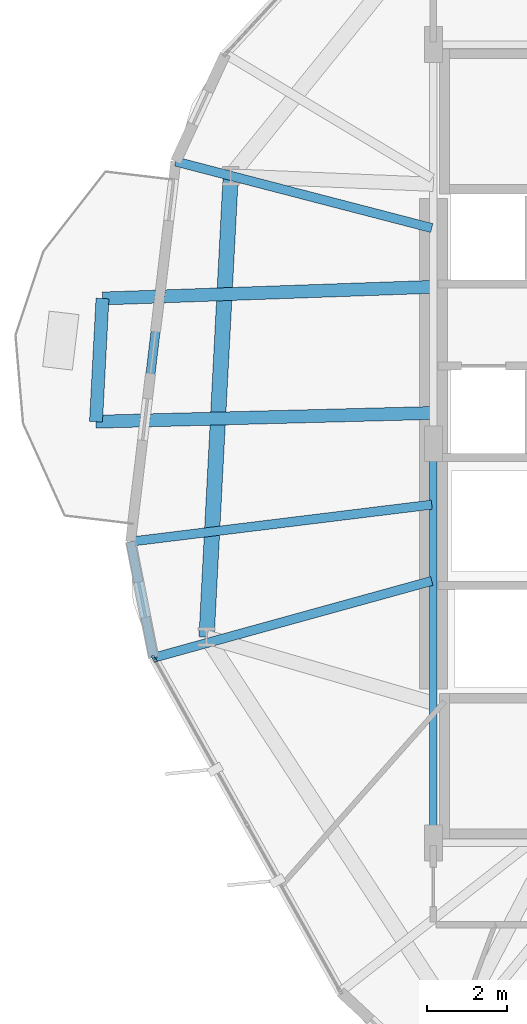
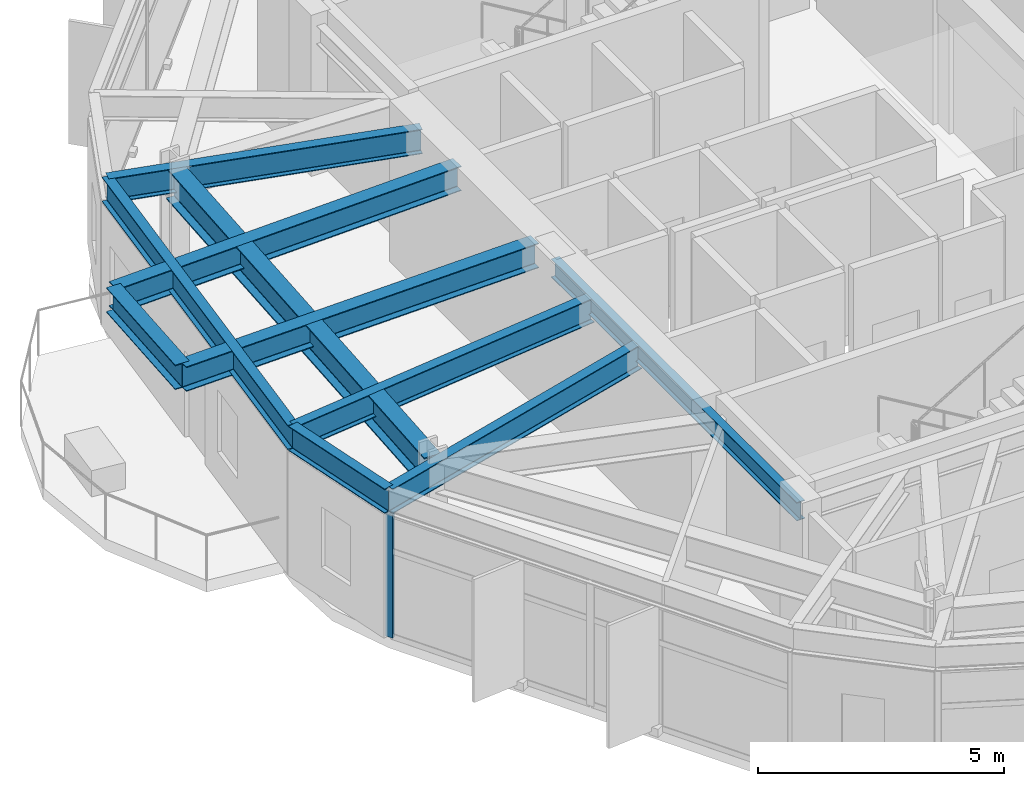
# One storey, part 6 of 22: 10 beams, 1 member, 1 element without a shape of its own.
"""IFC4 building model written with IfcOpenShell, lengths in metres."""

from ifc_helpers import new_model, si_unit, direction, frame, origin, origin_2d, place, context, subcontext, project, spatial, hollow_rectangle, i_section, extrude, material, layer, layer_set, material_profile, profile_set, type_object, element, aggregate, save


model = new_model("IFC4")

# Units and contexts
model_context = context("Model", 3, precision=1e-05, world=origin(), true_north=direction((0.0, 1.0)))
body_context = subcontext(model_context, "Body", "Model", "MODEL_VIEW")
ifc_project = project(units=[si_unit("LENGTHUNIT", "METRE"), si_unit("AREAUNIT", "SQUARE_METRE"), si_unit("VOLUMEUNIT", "CUBIC_METRE"), si_unit("PLANEANGLEUNIT", "RADIAN"), si_unit("MASSUNIT", "GRAM", prefix="KILO")], contexts=[model_context])

# Site, building, storey
site_placement = place(None, origin())
site = spatial("IfcSite", under=ifc_project, at=site_placement, CompositionType="ELEMENT")
building_placement = place(site_placement, origin())
building = spatial("IfcBuilding", under=site, at=building_placement, Name="Soratama Intermodal Tower", CompositionType="ELEMENT")
storey_placement = place(building_placement, frame((0.0, 0.0, 70.60009765625)))
storey = spatial("IfcBuildingStorey", under=building, at=storey_placement, Name="L16", CompositionType="ELEMENT", Elevation=70.60009765625)

# Beams
ifc_material_1 = material(Name="Structural steel ASTM A992 Grade 50", Category="steel")
ifc_material_profile_1 = material_profile(ifc_material_1, i_section(OverallWidth=0.324951171875, OverallDepth=0.615966796875, WebThickness=0.013916015625, FlangeThickness=0.021484375, FilletRadius=0.013916015625, at=origin_2d()), Name="W24X117")
ifc_profile_set_1 = profile_set([ifc_material_profile_1], Name="Structural steel ASTM A992 Grade 50")
beam_type_1 = type_object("IfcBeamType", Name="BM-CANT-W24X117", PredefinedType="BEAM", material=ifc_profile_set_1)
beam_1_placement = place(storey_placement, frame((24.31005859375, 28.638916015625, 3.391845703125), z_axis=(-0.052442762618, -0.998623931542, 0.0), x_axis=(0.998623931542, -0.052442762618, 0.0)))
element("IfcBeam", 1, at=beam_1_placement, inside=storey, type_object=beam_type_1, Name="BM-L16-CBHDR-2", PredefinedType="BEAM", context=body_context, shape_type="SweptSolid", body=[
    extrude(i_section(OverallWidth=0.324951171875, OverallDepth=0.615966796875, WebThickness=0.013916015625, FlangeThickness=0.021484375, FilletRadius=0.013916015625, at=origin_2d()), origin(), (0.0, 0.0, 1.0), 3.091064453125),
])
beam_2_placement = place(storey_placement, frame((32.56005859375, 28.929931640625, 3.391845703125), z_axis=(-0.999378430553, -0.035252695585, 0.0), x_axis=(0.035252695585, -0.999378430553, 0.0)))
element("IfcBeam", 2, at=beam_2_placement, inside=storey, type_object=beam_type_1, Name="BM-L16-CANT-2-1", PredefinedType="BEAM", context=body_context, shape_type="SweptSolid", body=[
    extrude(i_section(OverallWidth=0.324951171875, OverallDepth=0.615966796875, WebThickness=0.013916015625, FlangeThickness=0.021484375, FilletRadius=0.013916015625, at=origin_2d()), origin(), (0.0, 0.0, 1.0), 8.255126953125),
])
beam_3_placement = place(storey_placement, frame((32.56005859375, 25.77001953125, 3.391845703125), z_axis=(-0.999664320758, -0.025908411842, 0.0), x_axis=(0.025908411842, -0.999664320758, 0.0)))
element("IfcBeam", 3, at=beam_3_placement, inside=storey, type_object=beam_type_1, Name="BM-L16-CANT-2-2", PredefinedType="BEAM", context=body_context, shape_type="SweptSolid", body=[
    extrude(i_section(OverallWidth=0.324951171875, OverallDepth=0.615966796875, WebThickness=0.013916015625, FlangeThickness=0.021484375, FilletRadius=0.013916015625, at=origin_2d()), origin(), (0.0, 0.0, 1.0), 8.4150390625),
])
ifc_material_2 = material(Name="Structural steel ASTM A992 Grade 50", Category="steel")
ifc_material_profile_2 = material_profile(ifc_material_2, i_section(OverallWidth=0.19091796875, OverallDepth=0.4599609375, WebThickness=0.010009765625, FlangeThickness=0.01611328125, FilletRadius=0.010986328125, at=origin_2d()), Name="W18X55")
ifc_profile_set_2 = profile_set([ifc_material_profile_2], Name="Structural steel ASTM A992 Grade 50")
beam_type_2 = type_object("IfcBeamType", Name="BM-FLR-W18X55", PredefinedType="BEAM", material=ifc_profile_set_2)
beam_4_placement = place(storey_placement, frame((32.60009765625, 25.0, 3.469970703125), z_axis=(0.0, -1.0, 0.0), x_axis=(1.0, 0.0, 0.0)))
element("IfcBeam", 4, at=beam_4_placement, inside=storey, type_object=beam_type_2, Name="BM-L16-CRING-09", PredefinedType="BEAM", context=body_context, shape_type="SweptSolid", body=[
    extrude(i_section(OverallWidth=0.19091796875, OverallDepth=0.4599609375, WebThickness=0.010009765625, FlangeThickness=0.01611328125, FilletRadius=0.010986328125, at=origin_2d()), origin(), (0.0, 0.0, 1.0), 10.0),
])
ifc_material_3 = material(Name="Structural steel ASTM A992 Grade 50", Category="steel")
ifc_material_profile_3 = material_profile(ifc_material_3, i_section(OverallWidth=0.382080078125, OverallDepth=0.779052734375, WebThickness=0.01806640625, FlangeThickness=0.030029296875, FilletRadius=0.01806640625, at=origin_2d()), Name="W30X191")
ifc_profile_set_3 = profile_set([ifc_material_profile_3], Name="Structural steel ASTM A992 Grade 50")
beam_type_3 = type_object("IfcBeamType", Name="BM-RING-W30X191", PredefinedType="BEAM", material=ifc_profile_set_3)
beam_5_placement = place(storey_placement, frame((27.52294921875, 31.708984375, 3.310302734375), z_axis=(-0.052289698717, -0.998631957935, 0.0), x_axis=(0.998631957935, -0.052289698717, 0.0)))
element("IfcBeam", 5, at=beam_5_placement, inside=storey, type_object=beam_type_3, Name="BM-L16-RING-05", PredefinedType="BEAM", context=body_context, shape_type="SweptSolid", body=[
    extrude(i_section(OverallWidth=0.382080078125, OverallDepth=0.779052734375, WebThickness=0.01806640625, FlangeThickness=0.030029296875, FilletRadius=0.01806640625, at=origin_2d()), origin(), (0.0, 0.0, 1.0), 11.56982421875),
])
ifc_material_4 = material(Name="Structural steel ASTM A992 Grade 50", Category="steel")
ifc_material_profile_4 = material_profile(ifc_material_4, i_section(OverallWidth=0.22900390625, OverallDepth=0.612060546875, WebThickness=0.011962890625, FlangeThickness=0.01953125, FilletRadius=0.012939453125, at=origin_2d()), Name="W24X84")
ifc_profile_set_4 = profile_set([ifc_material_profile_4], Name="Structural steel ASTM A992 Grade 50")
beam_type_4 = type_object("IfcBeamType", Name="BM-SPN-W24X84", PredefinedType="SPANDREL", material=ifc_profile_set_4)
beam_6_placement = place(storey_placement, frame((26.14599609375, 32.070068359375, 3.393798828125), z_axis=(-0.118047931698, -0.993007898167, 0.0), x_axis=(0.993007898167, -0.118047931698, 0.0)))
element("IfcBeam", 6, at=beam_6_placement, inside=storey, type_object=beam_type_4, Name="BS-L16-F05", PredefinedType="SPANDREL", context=body_context, shape_type="SweptSolid", body=[
    extrude(i_section(OverallWidth=0.22900390625, OverallDepth=0.612060546875, WebThickness=0.011962890625, FlangeThickness=0.01953125, FilletRadius=0.012939453125, at=origin_2d()), origin(), (0.0, 0.0, 1.0), 9.590087890625),
])
beam_7_placement = place(storey_placement, frame((25.013916015625, 22.547119140625, 3.393798828125), z_axis=(0.194596210354, -0.980883435947, 0.0), x_axis=(0.980883435947, 0.194596210354, 0.0)))
element("IfcBeam", 7, at=beam_7_placement, inside=storey, type_object=beam_type_4, Name="BS-L16-CRN05", PredefinedType="SPANDREL", context=body_context, shape_type="SweptSolid", body=[
    extrude(i_section(OverallWidth=0.22900390625, OverallDepth=0.612060546875, WebThickness=0.011962890625, FlangeThickness=0.01953125, FilletRadius=0.012939453125, at=origin_2d()), origin(), (0.0, 0.0, 1.0), 2.9658203125),
])
ifc_material_5 = material(Name="Structural steel ASTM A992 Grade 50", Category="steel")
ifc_material_profile_5 = material_profile(ifc_material_5, i_section(OverallWidth=0.22900390625, OverallDepth=0.612060546875, WebThickness=0.011962890625, FlangeThickness=0.01953125, FilletRadius=0.012939453125, at=origin_2d()), Name="W24X84")
ifc_profile_set_5 = profile_set([ifc_material_profile_5], Name="Structural steel ASTM A992 Grade 50")
beam_type_5 = type_object("IfcBeamType", Name="BM-TIE-W24X84", PredefinedType="BEAM", material=ifc_profile_set_5)
beam_8_placement = place(storey_placement, frame((32.56103515625, 30.404052734375, 3.393798828125), z_axis=(-0.967892083368, 0.251366097462, 0.0), x_axis=(-0.251366097462, -0.967892083368, 0.0)))
element("IfcBeam", 8, at=beam_8_placement, inside=storey, type_object=beam_type_5, Name="BM-L16-TIE0-05", PredefinedType="BEAM", context=body_context, shape_type="SweptSolid", body=[
    extrude(i_section(OverallWidth=0.22900390625, OverallDepth=0.612060546875, WebThickness=0.011962890625, FlangeThickness=0.01953125, FilletRadius=0.012939453125, at=origin_2d()), origin(), (0.0, 0.0, 1.0), 6.6279296875),
])
beam_9_placement = place(storey_placement, frame((32.56005859375, 23.47412109375, 3.393798828125), z_axis=(-0.992538956244, -0.121927930922, 0.0), x_axis=(0.121927930922, -0.992538956244, 0.0)))
element("IfcBeam", 9, at=beam_9_placement, inside=storey, type_object=beam_type_5, Name="BM-L16-TIE1-05", PredefinedType="BEAM", context=body_context, shape_type="SweptSolid", body=[
    extrude(i_section(OverallWidth=0.22900390625, OverallDepth=0.612060546875, WebThickness=0.011962890625, FlangeThickness=0.01953125, FilletRadius=0.012939453125, at=origin_2d()), origin(), (0.0, 0.0, 1.0), 7.602783203125),
])
beam_10_placement = place(storey_placement, frame((32.56103515625, 21.56298828125, 3.393798828125), z_axis=(-0.963911093123, -0.266224350039, 0.0), x_axis=(0.266224350039, -0.963911093123, 0.0)))
element("IfcBeam", 10, at=beam_10_placement, inside=storey, type_object=beam_type_5, Name="BM-L16-TIE0-06", PredefinedType="BEAM", context=body_context, shape_type="SweptSolid", body=[
    extrude(i_section(OverallWidth=0.22900390625, OverallDepth=0.612060546875, WebThickness=0.011962890625, FlangeThickness=0.01953125, FilletRadius=0.012939453125, at=origin_2d()), origin(), (0.0, 0.0, 1.0), 7.23095703125),
])

# Curtain wall, member
ifc_material_6 = material(Name="Double-glazed aluminium curtain wall", Category="aluminium")
ifc_layer = layer(ifc_material_6, 0.159912109375)
ifc_layer_set = layer_set([ifc_layer], Name="Double-glazed aluminium curtain wall")
curtain_wall_type = type_object("IfcCurtainWallType", Name="CW-SYS-2", PredefinedType="NOTDEFINED", material=ifc_layer_set)
curtain_wall_placement = place(storey_placement, origin())
curtain_wall = element("IfcCurtainWall", 11, at=curtain_wall_placement, inside=storey, type_object=curtain_wall_type, Name="L16 Faceted Curtain Wall F06", PredefinedType="NOTDEFINED")
ifc_material_7 = material(Name="Anodised aluminium AA 6063-T6", Category="aluminium")
ifc_material_profile_6 = material_profile(ifc_material_7, hollow_rectangle(XDim=0.074951171875, YDim=0.179931640625, WallThickness=0.006103515625, InnerFilletRadius=0.006103515625, OuterFilletRadius=0.011962890625, at=origin_2d()), Name="CWM180X75X6")
ifc_profile_set_6 = profile_set([ifc_material_profile_6], Name="Anodised aluminium AA 6063-T6")
member_type = type_object("IfcMemberType", Name="MT-CWM-2", PredefinedType="MULLION", material=ifc_profile_set_6)
member_placement = place(storey_placement, frame((25.60546875, 19.611572265625, 0.0), z_axis=(0.0, 0.0, 1.0), x_axis=(0.872755737534, 0.488157169978, 0.0)))
member = element("IfcMember", 12, at=member_placement, type_object=member_type, Name="CW-2 mullion 1", PredefinedType="MULLION", context=body_context, shape_type="SweptSolid", body=[
    extrude(hollow_rectangle(XDim=0.074951171875, YDim=0.179931640625, WallThickness=0.006103515625, InnerFilletRadius=0.006103515625, OuterFilletRadius=0.011962890625, at=origin_2d()), origin(), (0.0, 0.0, 1.0), 3.078857421875),
])
aggregate(curtain_wall, [member])

save(model, "model.ifc")
